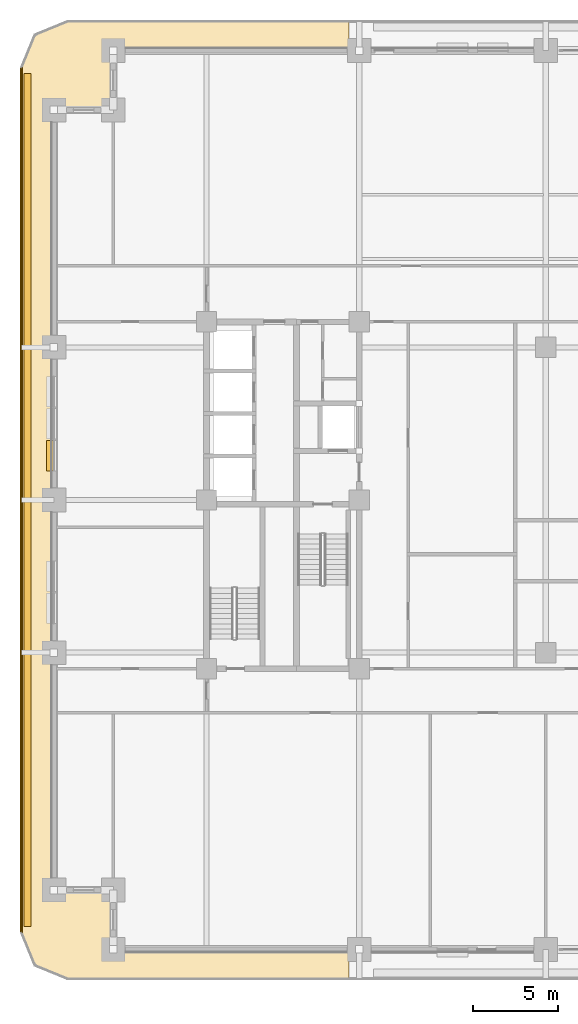
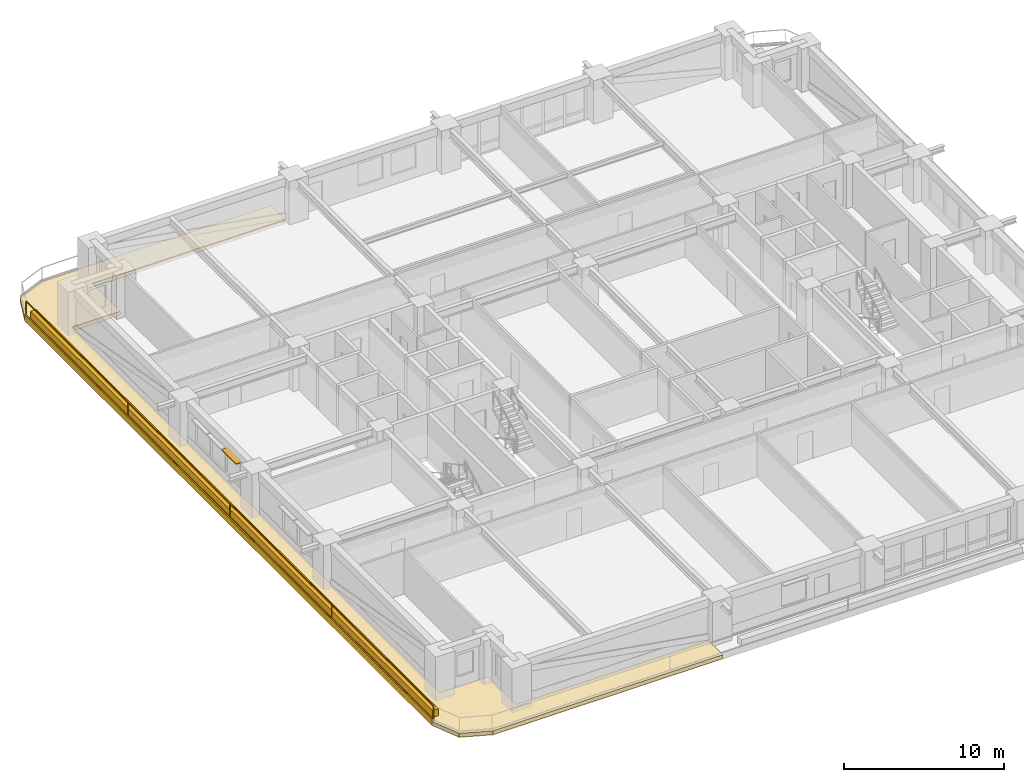
# One storey, part 15 of 20: 3 coverings, 1 railing, 1 shading device.
"""IFC4 building model written with IfcOpenShell, lengths in metres."""

from ifc_helpers import new_model, si_unit, direction, frame, frame_2d, origin, origin_2d, place, context, subcontext, project, spatial, polyline, rectangle, outline, extrude, material, layer, layer_set, type_object, element, save


model = new_model("IFC4")

# Units and contexts
model_context = context("Model", 3, precision=1e-05, world=origin(), true_north=direction((0.0, 1.0)))
body_context = subcontext(model_context, "Body", "Model", "MODEL_VIEW")
ifc_project = project(units=[si_unit("LENGTHUNIT", "METRE"), si_unit("AREAUNIT", "SQUARE_METRE"), si_unit("VOLUMEUNIT", "CUBIC_METRE"), si_unit("PLANEANGLEUNIT", "RADIAN"), si_unit("MASSUNIT", "GRAM", prefix="KILO")], contexts=[model_context])

# Site, building, storey
site_placement = place(None, origin())
site = spatial("IfcSite", under=ifc_project, at=site_placement, CompositionType="ELEMENT")
building_placement = place(site_placement, origin())
building = spatial("IfcBuilding", under=site, at=building_placement, Name="Zulmaris Gate Convention Tower", CompositionType="ELEMENT")
storey_placement = place(building_placement, frame((0.0, 0.0, 71.469970703125)))
storey = spatial("IfcBuildingStorey", under=building, at=storey_placement, Name="L17", CompositionType="ELEMENT", Elevation=71.469970703125)

# Coverings
ifc_material_1 = material(Name="White Glazed Architectural Precast Concrete C40/50", Category="concrete")
ifc_layer_1 = layer(ifc_material_1, 0.239990234375, Name="White Glazed Architectural Precast Concrete C40/50")
ifc_layer_set_1 = layer_set([ifc_layer_1], Name="White Glazed Architectural Precast Concrete C40/50")
covering_type_1 = type_object("IfcCoveringType", Name="CLAD-TRAY-DECK", PredefinedType="CLADDING", material=ifc_layer_set_1)
covering_1_placement = place(storey_placement, frame((0.0, 0.0, -0.324951171875)))
element("IfcCovering", 1, at=covering_1_placement, inside=storey, type_object=covering_type_1, Name="L17 West Rounded-Fascia Planter Tray Deck", PredefinedType="CLADDING", context=body_context, shape_type="SweptSolid", body=[
    extrude(outline(polyline([(-31.0, 25.5), (-30.179931640625, 27.47998046875), (-28.199951171875, 28.300048828125), (-11.60205078125, 28.300048828125), (-11.60205078125, 26.5), (-25.5, 26.5), (-25.5, 23.0), (-29.0, 23.0), (-29.0, -23.0), (-25.5, -23.0), (-25.5, -26.5), (-11.60205078125, -26.5), (-11.60205078125, -28.300048828125), (-28.199951171875, -28.300048828125), (-30.179931640625, -27.47998046875), (-31.0, -25.5), (-31.0, 25.5)])), origin(), (0.0, 0.0, 1.0), 0.300048828125),
])
ifc_layer_2 = layer(ifc_material_1, 0.080078125, Name="White Glazed Architectural Precast Concrete C40/50")
ifc_layer_set_2 = layer_set([ifc_layer_2], Name="White Glazed Architectural Precast Concrete C40/50")
covering_type_2 = type_object("IfcCoveringType", Name="CLAD-TRAY-FASCIA", PredefinedType="CLADDING", material=ifc_layer_set_2)
covering_2_placement = place(storey_placement, frame((-30.9599609375, 25.5, -0.364990234375), z_axis=(0.0, 0.0, 1.0), x_axis=(0.0, -1.0, 0.0)))
element("IfcCovering", 2, at=covering_2_placement, inside=storey, type_object=covering_type_2, Name="FSC-L17-TR-11", PredefinedType="CLADDING", context=body_context, shape_type="SweptSolid", body=[
    extrude(rectangle(XDim=51.0, YDim=0.080078125, at=frame_2d((25.5, 0.0))), origin(), (0.0, 0.0, 1.0), 0.5),
])
ifc_material_2 = material(Name="Botanical Green Glazed Precast Concrete C40/50", Category="concrete")
ifc_layer_3 = layer(ifc_material_2, 0.419921875, Name="Botanical Green Glazed Precast Concrete C40/50")
ifc_layer_set_3 = layer_set([ifc_layer_3], Name="Botanical Green Glazed Precast Concrete C40/50")
covering_type_3 = type_object("IfcCoveringType", Name="PLANTER-BOX-200", PredefinedType="CLADDING", material=ifc_layer_set_3)
covering_3_placement = place(storey_placement, frame((0.0, 0.0, -0.02490234375)))
element("IfcCovering", 3, at=covering_3_placement, inside=storey, type_object=covering_type_3, Name="L17 W Full-Length Balcony Tree Planter Trough", PredefinedType="CLADDING", context=body_context, shape_type="SweptSolid", body=[
    extrude(outline(polyline([(-30.760009765625, -25.14990234375), (-30.340087890625, -25.14990234375), (-30.340087890625, 25.14990234375), (-30.760009765625, 25.14990234375), (-30.760009765625, -25.14990234375)])), origin(), (0.0, 0.0, 1.0), 0.52001953125),
])

# Railing
ifc_material_3 = material(Name="Laminated Glass and Stainless Steel", Category="steel")
railing_type = type_object("IfcRailingType", Name="RL-BALC-1150", PredefinedType="BALUSTRADE", material=ifc_material_3)
railing_placement = place(storey_placement, frame((-30.8798828125, 25.5, -0.02490234375)))
element("IfcRailing", 4, at=railing_placement, inside=storey, type_object=railing_type, Name="RL-L17-BALC-W", PredefinedType="BALUSTRADE", context=body_context, shape_type="SweptSolid", body=[
    extrude(rectangle(XDim=0.048095703125, YDim=0.048095703125, at=origin_2d()), frame((0.0, 0.0, 1.1259765625), z_axis=(0.0, -1.0, 0.0), x_axis=(1.0, 0.0, 0.0)), (0.0, 0.0, 1.0), 51.0),
    extrude(rectangle(XDim=0.048095703125, YDim=0.048095703125, at=origin_2d()), frame((0.0, 0.0, 0.02392578125), z_axis=(0.0, -1.0, 0.0), x_axis=(1.0, 0.0, 0.0)), (0.0, 0.0, 1.0), 51.0),
    extrude(rectangle(XDim=0.0419921875, YDim=0.0419921875, at=origin_2d()), origin(), (0.0, 0.0, 1.0), 1.101806640625),
    extrude(rectangle(XDim=0.0419921875, YDim=0.0419921875, at=origin_2d()), frame((0.0, -12.75, 0.0)), (0.0, 0.0, 1.0), 1.101806640625),
    extrude(rectangle(XDim=0.0419921875, YDim=0.0419921875, at=origin_2d()), frame((0.0, -25.5, 0.0)), (0.0, 0.0, 1.0), 1.101806640625),
    extrude(rectangle(XDim=0.0419921875, YDim=0.0419921875, at=origin_2d()), frame((0.0, -38.25, 0.0)), (0.0, 0.0, 1.0), 1.101806640625),
    extrude(rectangle(XDim=0.0419921875, YDim=0.0419921875, at=origin_2d()), frame((0.0, -51.0, 0.0)), (0.0, 0.0, 1.0), 1.101806640625),
])

# Shading device
ifc_material_4 = material(Name="Glazed Ceramic Terracotta", Category="masonry")
ifc_layer_4 = layer(ifc_material_4, 0.070068359375, Name="Glazed Ceramic Terracotta")
ifc_layer_set_4 = layer_set([ifc_layer_4], Name="Glazed Ceramic Terracotta")
shading_device_type = type_object("IfcShadingDeviceType", Name="SHD-SUNSHADE-TC", PredefinedType="AWNING", material=ifc_layer_set_4)
shading_device_placement = place(storey_placement, frame((-29.219970703125, 3.514892578125, 2.530029296875), z_axis=(0.0, 0.0, 1.0), x_axis=(0.0, -1.0, 0.0)))
element("IfcShadingDevice", 5, at=shading_device_placement, inside=storey, type_object=shading_device_type, Name="SHD-EW-L17-W-2_0-3", PredefinedType="AWNING", context=body_context, shape_type="SweptSolid", body=[
    extrude(rectangle(XDim=1.7998046875, YDim=0.43994140625, at=frame_2d((0.89990234375, 0.0))), origin(), (0.0, 0.0, 1.0), 0.070068359375),
])

save(model, "model.ifc")
